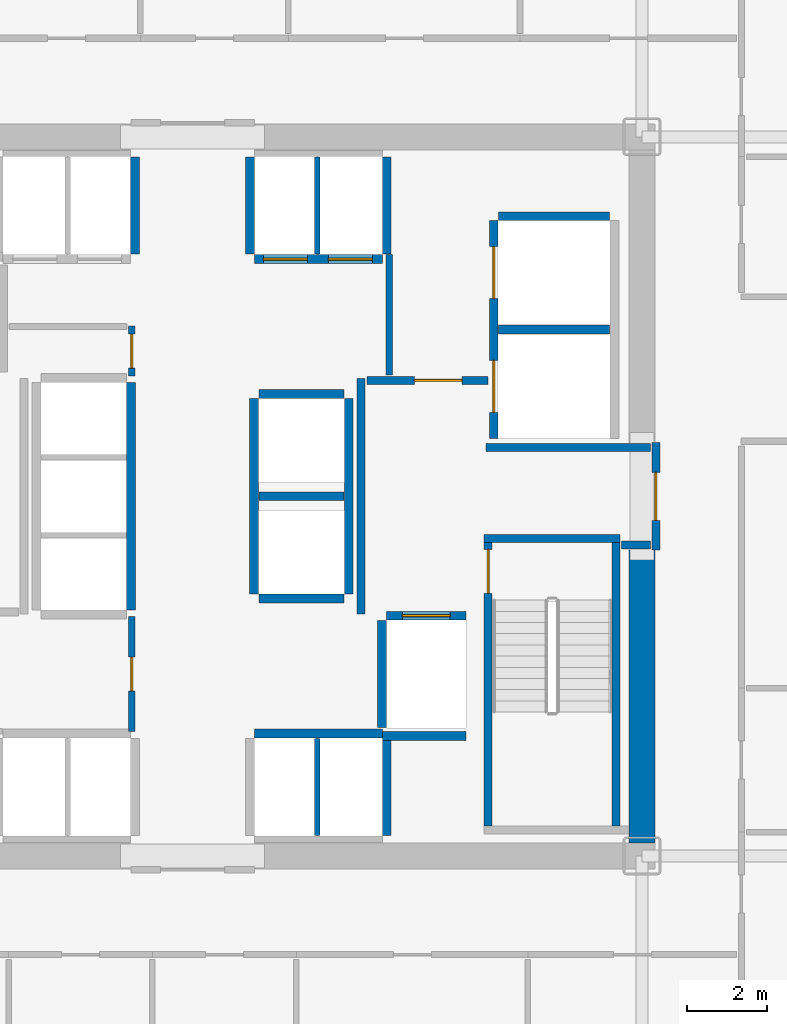
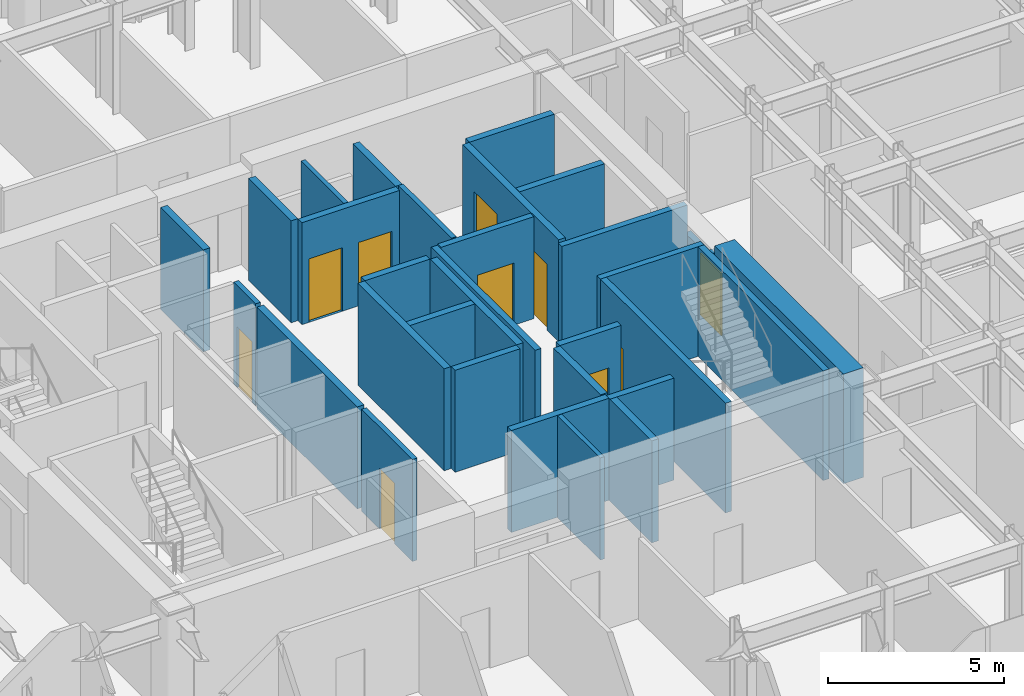
# One storey, part 22 of 26: 32 walls, 10 doors, 10 openings.
"""IFC4 building model written with IfcOpenShell, lengths in metres."""

from ifc_helpers import new_model, si_unit, direction, frame, frame_2d, origin, place, context, subcontext, project, spatial, rectangle, extrude, source, transform, mapped, material, layer, layer_set, type_object, element, fill, save


model = new_model("IFC4")

# Units and contexts
model_context = context("Model", 3, precision=1e-05, world=origin(), true_north=direction((0.0, 1.0)))
body_context = subcontext(model_context, "Body", "Model", "MODEL_VIEW")
ifc_project = project(units=[si_unit("LENGTHUNIT", "METRE"), si_unit("AREAUNIT", "SQUARE_METRE"), si_unit("VOLUMEUNIT", "CUBIC_METRE"), si_unit("PLANEANGLEUNIT", "RADIAN"), si_unit("MASSUNIT", "GRAM", prefix="KILO")], contexts=[model_context])

# Site, building, storey
site_placement = place(None, origin())
site = spatial("IfcSite", under=ifc_project, at=site_placement, CompositionType="ELEMENT")
building_placement = place(site_placement, origin())
building = spatial("IfcBuilding", under=site, at=building_placement, Name="Nefas-Gora Pilgrimage Tower", CompositionType="ELEMENT")
storey_placement = place(building_placement, frame((0.0, 0.0, 36.800048828125)))
storey = spatial("IfcBuildingStorey", under=building, at=storey_placement, Name="L07", CompositionType="ELEMENT", Elevation=36.800048828125)

# Walls
ifc_material_1 = material(Name="Concrete C60/75", Category="concrete")
ifc_layer_1 = layer(ifc_material_1, 0.64990234375)
ifc_layer_set_1 = layer_set([ifc_layer_1], Name="Concrete C60/75")
wall_type_1 = type_object("IfcWallType", Name="SW-CORE-650", PredefinedType="SHEAR", material=ifc_layer_set_1)
shared_shape_1 = source(origin(), body_context, "Body", "SweptSolid", [
    extrude(rectangle(XDim=7.324951171875, YDim=0.64990234375, at=frame_2d((3.66259765625, 0.0))), origin(), (0.0, 0.0, 1.0), 3.800048828125),
])
wall_1_placement = place(storey_placement, frame((11.25, -8.675048828125, 0.0), z_axis=(0.0, 0.0, 1.0), x_axis=(0.0, 1.0, 0.0)))
element("IfcWall", 1, at=wall_1_placement, inside=storey, type_object=wall_type_1, Name="L07 Core Shear Wall E-South", PredefinedType="SHEAR", context=body_context, shape_type="MappedRepresentation", body=[
    mapped(shared_shape_1, transform((0.0, 0.0, 0.0), x_axis=(1.0, 0.0, 0.0), y_axis=(0.0, 1.0, 0.0), z_axis=(0.0, 0.0, 1.0), scale=1.0)),
])
ifc_material_2 = material(Name="Concrete C45/55", Category="concrete")
ifc_layer_2 = layer(ifc_material_2, 0.199951171875)
ifc_layer_set_2 = layer_set([ifc_layer_2], Name="Concrete C45/55")
wall_type_2 = type_object("IfcWallType", Name="IW-STAIR-200", PredefinedType="SOLIDWALL", material=ifc_layer_set_2)
shared_shape_2 = source(origin(), body_context, "Body", "SweptSolid", [
    extrude(rectangle(XDim=3.39990234375, YDim=0.199951171875, at=frame_2d((1.699951171875, 0.0))), origin(), (0.0, 0.0, 1.0), 3.800048828125),
])
wall_2_placement = place(storey_placement, frame((7.300048828125, -1.050048828125, 0.0), z_axis=(0.0, 0.0, 1.0), x_axis=(1.0, 0.0, 0.0)))
element("IfcWall", 2, at=wall_2_placement, inside=storey, type_object=wall_type_2, Name="L07 Stairwell Shear Wall ST-02-near", PredefinedType="SOLIDWALL", context=body_context, shape_type="MappedRepresentation", body=[
    mapped(shared_shape_2, transform((0.0, 0.0, 0.0), x_axis=(1.0, 0.0, 0.0), y_axis=(0.0, 1.0, 0.0), z_axis=(0.0, 0.0, 1.0), scale=1.0)),
])

# Wall, opening, door
shared_shape_3 = source(origin(), body_context, "Body", "SweptSolid", [
    extrude(rectangle(XDim=7.10009765625, YDim=0.199951171875, at=frame_2d((3.550048828125, 0.0))), origin(), (0.0, 0.0, 1.0), 3.800048828125),
])
wall_3_placement = place(storey_placement, frame((7.39990234375, -1.14990234375, 0.0), z_axis=(0.0, 0.0, 1.0), x_axis=(0.0, -1.0, 0.0)))
wall_3 = element("IfcWall", 3, at=wall_3_placement, inside=storey, type_object=wall_type_2, Name="L07 Stairwell Shear Wall ST-02-left", PredefinedType="SOLIDWALL", context=body_context, shape_type="MappedRepresentation", body=[
    mapped(shared_shape_3, transform((0.0, 0.0, 0.0), x_axis=(1.0, 0.0, 0.0), y_axis=(0.0, 1.0, 0.0), z_axis=(0.0, 0.0, 1.0), scale=1.0)),
])
opening_1_placement = place(wall_3_placement, frame((0.179931640625, 0.0, 0.0)))
opening_1 = element("IfcOpeningElement", 4, at=opening_1_placement, cuts=wall_3, Name="Opening ID-ST1", PredefinedType="OPENING", context=body_context, shape_type="SweptSolid", body=[
    extrude(rectangle(XDim=1.10009765625, YDim=2.14990234375, at=frame_2d((0.550048828125, 1.074951171875))), frame((0.0, 0.10986328125, 0.0), z_axis=(0.0, -1.0, 0.0), x_axis=(1.0, 0.0, 0.0)), (0.0, 0.0, 1.0), 0.219970703125),
])
ifc_material_3 = material(Name="Painted galvanised steel fire stair door", Category="steel")
door_type_1 = type_object("IfcDoorType", Name="DR-INT-STAIR-1100", OperationType="NOTDEFINED", PredefinedType="DOOR", material=ifc_material_3)
shared_shape_4 = source(origin(), body_context, "Body", "SweptSolid", [
    extrude(rectangle(XDim=1.10009765625, YDim=2.14990234375, at=frame_2d((0.550048828125, 1.074951171875))), frame((0.0, 0.02490234375, 0.0), z_axis=(0.0, -1.0, 0.0), x_axis=(1.0, 0.0, 0.0)), (0.0, 0.0, 1.0), 0.050048828125),
])
door_1_placement = place(opening_1_placement, origin())
door_1 = element("IfcDoor", 5, at=door_1_placement, inside=storey, type_object=door_type_1, Name="L07 Protected Exit Stair Door ST-02", OperationType="SINGLE_SWING_RIGHT", OverallHeight=2.14990234375, OverallWidth=1.10009765625, PredefinedType="DOOR", context=body_context, shape_type="MappedRepresentation", body=[
    mapped(shared_shape_4, transform((0.0, 0.0, 0.0), x_axis=(1.0, 0.0, 0.0), y_axis=(0.0, 1.0, 0.0), z_axis=(0.0, 0.0, 1.0), scale=1.0)),
])
fill(opening_1, door_1)

# Wall
wall_4_placement = place(storey_placement, frame((10.60009765625, -1.14990234375, 0.0), z_axis=(0.0, 0.0, 1.0), x_axis=(0.0, -1.0, 0.0)))
element("IfcWall", 6, at=wall_4_placement, inside=storey, type_object=wall_type_2, Name="L07 Stairwell Shear Wall ST-02-right", PredefinedType="SOLIDWALL", context=body_context, shape_type="MappedRepresentation", body=[
    mapped(shared_shape_3, transform((0.0, 0.0, 0.0), x_axis=(1.0, 0.0, 0.0), y_axis=(0.0, 1.0, 0.0), z_axis=(0.0, 0.0, 1.0), scale=1.0)),
])

# Wall, opening, door
ifc_material_4 = material(Name="Concrete C40/50", Category="concrete")
ifc_layer_3 = layer(ifc_material_4, 0.219970703125)
ifc_layer_set_3 = layer_set([ifc_layer_3], Name="Concrete C40/50")
wall_type_3 = type_object("IfcWallType", Name="IW-SHAFT-220", PredefinedType="SOLIDWALL", material=ifc_layer_set_3)
shared_shape_5 = source(origin(), body_context, "Body", "SweptSolid", [
    extrude(rectangle(XDim=2.0, YDim=0.219970703125, at=frame_2d((1.0, 0.0))), origin(), (0.0, 0.0, 1.0), 3.534912109375),
])
wall_5_placement = place(storey_placement, frame((6.85009765625, -2.989990234375, 0.0), z_axis=(0.0, 0.0, 1.0), x_axis=(-1.0, 0.0, 0.0)))
wall_5 = element("IfcWall", 7, at=wall_5_placement, inside=storey, type_object=wall_type_3, Name="L07 Hoistway Wall FFL-02-N", PredefinedType="SOLIDWALL", context=body_context, shape_type="MappedRepresentation", body=[
    mapped(shared_shape_5, transform((0.0, 0.0, 0.0), x_axis=(1.0, 0.0, 0.0), y_axis=(0.0, 1.0, 0.0), z_axis=(0.0, 0.0, 1.0), scale=1.0)),
])
opening_2_placement = place(wall_5_placement, frame((0.39990234375, 0.0, 0.0)))
opening_2 = element("IfcOpeningElement", 8, at=opening_2_placement, cuts=wall_5, Name="Opening LD-FF", PredefinedType="OPENING", context=body_context, shape_type="SweptSolid", body=[
    extrude(rectangle(XDim=1.199951171875, YDim=2.199951171875, at=frame_2d((0.60009765625, 1.10009765625))), frame((0.0, 0.119873046875, 0.0), z_axis=(0.0, -1.0, 0.0), x_axis=(1.0, 0.0, 0.0)), (0.0, 0.0, 1.0), 0.239990234375),
])
ifc_material_5 = material(Name="Fire-service sliding lift landing door")
door_type_2 = type_object("IfcDoorType", Name="DR-LIFT-FSAE-1200", OperationType="SLIDING_TO_LEFT", PredefinedType="DOOR", material=ifc_material_5)
shared_shape_6 = source(origin(), body_context, "Body", "SweptSolid", [
    extrude(rectangle(XDim=1.199951171875, YDim=2.199951171875, at=frame_2d((0.60009765625, 1.10009765625))), frame((0.0, 0.02490234375, 0.0), z_axis=(0.0, -1.0, 0.0), x_axis=(1.0, 0.0, 0.0)), (0.0, 0.0, 1.0), 0.050048828125),
])
door_2_placement = place(opening_2_placement, origin())
door_2 = element("IfcDoor", 9, at=door_2_placement, inside=storey, type_object=door_type_2, Name="L07 Sliding Lift Landing Door FFL-02", OperationType="SLIDING_TO_LEFT", OverallHeight=2.199951171875, OverallWidth=1.199951171875, PredefinedType="DOOR", context=body_context, shape_type="MappedRepresentation", body=[
    mapped(shared_shape_6, transform((0.0, 0.0, 0.0), x_axis=(1.0, 0.0, 0.0), y_axis=(0.0, 1.0, 0.0), z_axis=(0.0, 0.0, 1.0), scale=1.0)),
])
fill(opening_2, door_2)

# Wall
shared_shape_7 = source(origin(), body_context, "Body", "SweptSolid", [
    extrude(rectangle(XDim=2.679931640625, YDim=0.219970703125, at=frame_2d((1.33984375, 0.0))), origin(), (0.0, 0.0, 1.0), 3.534912109375),
])
wall_6_placement = place(storey_placement, frame((4.739990234375, -3.110107421875, 0.0), z_axis=(0.0, 0.0, 1.0), x_axis=(0.0, -1.0, 0.0)))
element("IfcWall", 10, at=wall_6_placement, inside=storey, type_object=wall_type_3, Name="L07 Hoistway Wall FFL-02-W", PredefinedType="SOLIDWALL", context=body_context, shape_type="MappedRepresentation", body=[
    mapped(shared_shape_7, transform((0.0, 0.0, 0.0), x_axis=(1.0, 0.0, 0.0), y_axis=(0.0, 1.0, 0.0), z_axis=(0.0, 0.0, 1.0), scale=1.0)),
])

# Wall, openings, doors
shared_shape_8 = source(origin(), body_context, "Body", "SweptSolid", [
    extrude(rectangle(XDim=5.449951171875, YDim=0.219970703125, at=frame_2d((2.72509765625, 0.0))), origin(), (0.0, 0.0, 1.0), 3.534912109375),
])
wall_7_placement = place(storey_placement, frame((7.5400390625, 6.89990234375, 0.0), z_axis=(0.0, 0.0, 1.0), x_axis=(0.0, -1.0, 0.0)))
wall_7 = element("IfcWall", 11, at=wall_7_placement, inside=storey, type_object=wall_type_3, Name="L07 Hoistway Wall SL-01-02-W", PredefinedType="SOLIDWALL", context=body_context, shape_type="MappedRepresentation", body=[
    mapped(shared_shape_8, transform((0.0, 0.0, 0.0), x_axis=(1.0, 0.0, 0.0), y_axis=(0.0, 1.0, 0.0), z_axis=(0.0, 0.0, 1.0), scale=1.0)),
])
opening_3_placement = place(wall_7_placement, frame((3.5, 0.0, 0.0)))
opening_3 = element("IfcOpeningElement", 12, at=opening_3_placement, cuts=wall_7, Name="Opening LD-SV", PredefinedType="OPENING", context=body_context, shape_type="SweptSolid", body=[
    extrude(rectangle(XDim=1.300048828125, YDim=2.300048828125, at=frame_2d((0.64990234375, 1.14990234375))), frame((0.0, 0.119873046875, 0.0), z_axis=(0.0, -1.0, 0.0), x_axis=(1.0, 0.0, 0.0)), (0.0, 0.0, 1.0), 0.239990234375),
])
opening_4_placement = place(wall_7_placement, frame((0.64990234375, 0.0, 0.0)))
opening_4 = element("IfcOpeningElement", 13, at=opening_4_placement, cuts=wall_7, Name="Opening LD-SV", PredefinedType="OPENING", context=body_context, shape_type="SweptSolid", body=[
    extrude(rectangle(XDim=1.300048828125, YDim=2.300048828125, at=frame_2d((0.64990234375, 1.14990234375))), frame((0.0, 0.119873046875, 0.0), z_axis=(0.0, -1.0, 0.0), x_axis=(1.0, 0.0, 0.0)), (0.0, 0.0, 1.0), 0.239990234375),
])
ifc_material_6 = material(Name="Heavy goods sliding lift landing door")
door_type_3 = type_object("IfcDoorType", Name="DR-LIFT-SERV-1300", OperationType="SLIDING_TO_RIGHT", PredefinedType="DOOR", material=ifc_material_6)
shared_shape_9 = source(origin(), body_context, "Body", "SweptSolid", [
    extrude(rectangle(XDim=1.300048828125, YDim=2.300048828125, at=frame_2d((0.64990234375, 1.14990234375))), frame((0.0, 0.02490234375, 0.0), z_axis=(0.0, -1.0, 0.0), x_axis=(1.0, 0.0, 0.0)), (0.0, 0.0, 1.0), 0.050048828125),
])
door_3_placement = place(opening_3_placement, origin())
door_3 = element("IfcDoor", 14, at=door_3_placement, inside=storey, type_object=door_type_3, Name="L07 Sliding Lift Landing Door SL-01", OperationType="SLIDING_TO_RIGHT", OverallHeight=2.300048828125, OverallWidth=1.300048828125, PredefinedType="DOOR", context=body_context, shape_type="MappedRepresentation", body=[
    mapped(shared_shape_9, transform((0.0, 0.0, 0.0), x_axis=(1.0, 0.0, 0.0), y_axis=(0.0, 1.0, 0.0), z_axis=(0.0, 0.0, 1.0), scale=1.0)),
])
fill(opening_3, door_3)
door_4_placement = place(opening_4_placement, origin())
door_4 = element("IfcDoor", 15, at=door_4_placement, inside=storey, type_object=door_type_3, Name="L07 Sliding Lift Landing Door SL-02", OperationType="SLIDING_TO_RIGHT", OverallHeight=2.300048828125, OverallWidth=1.300048828125, PredefinedType="DOOR", context=body_context, shape_type="MappedRepresentation", body=[
    mapped(shared_shape_9, transform((0.0, 0.0, 0.0), x_axis=(1.0, 0.0, 0.0), y_axis=(0.0, 1.0, 0.0), z_axis=(0.0, 0.0, 1.0), scale=1.0)),
])
fill(opening_4, door_4)

# Walls
shared_shape_10 = source(origin(), body_context, "Body", "SweptSolid", [
    extrude(rectangle(XDim=2.780029296875, YDim=0.219970703125, at=frame_2d((1.39013671875, 0.0))), origin(), (0.0, 0.0, 1.0), 3.534912109375),
])
for number, where, z_axis, x_axis, name in (
    (16, (7.659912109375, 4.175048828125, 0.0), (0.0, 0.0, 1.0), (1.0, 0.0, 0.0), "L07 Hoistway Wall SL-01-02-DIV"),
    (17, (10.43994140625, 7.010009765625, 0.0), (0.0, 0.0, 1.0), (-1.0, 0.0, 0.0), "L07 Hoistway Wall SL-02-N"),
):
    element("IfcWall", number, at=place(storey_placement, frame(where, z_axis=z_axis, x_axis=x_axis)), inside=storey, type_object=wall_type_3, Name=name, PredefinedType="SOLIDWALL", context=body_context, shape_type="MappedRepresentation", body=[
        mapped(shared_shape_10, transform((0.0, 0.0, 0.0), x_axis=(1.0, 0.0, 0.0), y_axis=(0.0, 1.0, 0.0), z_axis=(0.0, 0.0, 1.0), scale=1.0)),
    ])

# Wall, openings, doors
shared_shape_11 = source(origin(), body_context, "Body", "SweptSolid", [
    extrude(rectangle(XDim=3.199951171875, YDim=0.219970703125, at=frame_2d((1.60009765625, 0.0))), origin(), (0.0, 0.0, 1.0), 3.534912109375),
])
wall_8_placement = place(storey_placement, frame((1.550048828125, 5.93994140625, 0.0), z_axis=(0.0, 0.0, 1.0), x_axis=(1.0, 0.0, 0.0)))
wall_8 = element("IfcWall", 18, at=wall_8_placement, inside=storey, type_object=wall_type_3, Name="L07 Hoistway Wall PL1-E-S", PredefinedType="SOLIDWALL", context=body_context, shape_type="MappedRepresentation", body=[
    mapped(shared_shape_11, transform((0.0, 0.0, 0.0), x_axis=(1.0, 0.0, 0.0), y_axis=(0.0, 1.0, 0.0), z_axis=(0.0, 0.0, 1.0), scale=1.0)),
])
opening_5_placement = place(wall_8_placement, frame((0.22509765625, 0.0, 0.0)))
opening_5 = element("IfcOpeningElement", 19, at=opening_5_placement, cuts=wall_8, Name="Opening LD-01", PredefinedType="OPENING", context=body_context, shape_type="SweptSolid", body=[
    extrude(rectangle(XDim=1.10009765625, YDim=2.199951171875, at=frame_2d((0.550048828125, 1.10009765625))), frame((0.0, 0.119873046875, 0.0), z_axis=(0.0, -1.0, 0.0), x_axis=(1.0, 0.0, 0.0)), (0.0, 0.0, 1.0), 0.239990234375),
])
opening_6_placement = place(wall_8_placement, frame((1.85009765625, 0.0, 0.0)))
opening_6 = element("IfcOpeningElement", 20, at=opening_6_placement, cuts=wall_8, Name="Opening LD-01", PredefinedType="OPENING", context=body_context, shape_type="SweptSolid", body=[
    extrude(rectangle(XDim=1.10009765625, YDim=2.199951171875, at=frame_2d((0.550048828125, 1.10009765625))), frame((0.0, 0.119873046875, 0.0), z_axis=(0.0, -1.0, 0.0), x_axis=(1.0, 0.0, 0.0)), (0.0, 0.0, 1.0), 0.239990234375),
])
ifc_material_7 = material(Name="Brushed stainless sliding lift landing door")
door_type_4 = type_object("IfcDoorType", Name="DR-LIFT-PASS-1100", OperationType="DOUBLE_DOOR_SLIDING", PredefinedType="DOOR", material=ifc_material_7)
shared_shape_12 = source(origin(), body_context, "Body", "SweptSolid", [
    extrude(rectangle(XDim=1.10009765625, YDim=2.199951171875, at=frame_2d((0.550048828125, 1.10009765625))), frame((0.0, 0.02490234375, 0.0), z_axis=(0.0, -1.0, 0.0), x_axis=(1.0, 0.0, 0.0)), (0.0, 0.0, 1.0), 0.050048828125),
])
door_5_placement = place(opening_5_placement, origin())
door_5 = element("IfcDoor", 21, at=door_5_placement, inside=storey, type_object=door_type_4, Name="L07 Sliding Lift Landing Door PL1-03", OperationType="DOUBLE_DOOR_SLIDING", OverallHeight=2.199951171875, OverallWidth=1.10009765625, PredefinedType="DOOR", context=body_context, shape_type="MappedRepresentation", body=[
    mapped(shared_shape_12, transform((0.0, 0.0, 0.0), x_axis=(1.0, 0.0, 0.0), y_axis=(0.0, 1.0, 0.0), z_axis=(0.0, 0.0, 1.0), scale=1.0)),
])
fill(opening_5, door_5)
door_6_placement = place(opening_6_placement, origin())
door_6 = element("IfcDoor", 22, at=door_6_placement, inside=storey, type_object=door_type_4, Name="L07 Sliding Lift Landing Door PL1-04", OperationType="DOUBLE_DOOR_SLIDING", OverallHeight=2.199951171875, OverallWidth=1.10009765625, PredefinedType="DOOR", context=body_context, shape_type="MappedRepresentation", body=[
    mapped(shared_shape_12, transform((0.0, 0.0, 0.0), x_axis=(1.0, 0.0, 0.0), y_axis=(0.0, 1.0, 0.0), z_axis=(0.0, 0.0, 1.0), scale=1.0)),
])
fill(opening_6, door_6)

# Walls
wall_9_placement = place(storey_placement, frame((4.75, -5.93994140625, 0.0), z_axis=(0.0, 0.0, 1.0), x_axis=(-1.0, 0.0, 0.0)))
element("IfcWall", 23, at=wall_9_placement, inside=storey, type_object=wall_type_3, Name="L07 Hoistway Wall PL2-E-N", PredefinedType="SOLIDWALL", context=body_context, shape_type="MappedRepresentation", body=[
    mapped(shared_shape_11, transform((0.0, 0.0, 0.0), x_axis=(1.0, 0.0, 0.0), y_axis=(0.0, 1.0, 0.0), z_axis=(0.0, 0.0, 1.0), scale=1.0)),
])
shared_shape_13 = source(origin(), body_context, "Body", "SweptSolid", [
    extrude(rectangle(XDim=2.429931640625, YDim=0.219970703125, at=frame_2d((1.21484375, 0.0))), origin(), (0.0, 0.0, 1.0), 3.534912109375),
])
for number, where, z_axis, x_axis, name in (
    (24, (-1.43994140625, 6.06005859375, 0.0), (0.0, 0.0, 1.0), (0.0, 1.0, 0.0), "L07 Hoistway Wall PL1-W-E"),
    (25, (1.43994140625, 8.489990234375, 0.0), (0.0, 0.0, 1.0), (0.0, -1.0, 0.0), "L07 Hoistway Wall PL1-E-W"),
    (26, (4.860107421875, 6.06005859375, 0.0), (0.0, 0.0, 1.0), (0.0, 1.0, 0.0), "L07 Hoistway Wall PL1-E-E"),
    (27, (4.860107421875, -8.489990234375, 0.0), (0.0, 0.0, 1.0), (0.0, 1.0, 0.0), "L07 Hoistway Wall PL2-E-E"),
):
    element("IfcWall", number, at=place(storey_placement, frame(where, z_axis=z_axis, x_axis=x_axis)), inside=storey, type_object=wall_type_3, Name=name, PredefinedType="SOLIDWALL", context=body_context, shape_type="MappedRepresentation", body=[
        mapped(shared_shape_13, transform((0.0, 0.0, 0.0), x_axis=(1.0, 0.0, 0.0), y_axis=(0.0, 1.0, 0.0), z_axis=(0.0, 0.0, 1.0), scale=1.0)),
    ])
ifc_material_8 = material(Name="Gypsum twin-stud partition")
ifc_layer_4 = layer(ifc_material_8, 0.139892578125)
ifc_layer_set_4 = layer_set([ifc_layer_4], Name="Gypsum twin-stud partition")
wall_type_4 = type_object("IfcWallType", Name="IW-UNIT-140", PredefinedType="PARTITIONING", material=ifc_layer_set_4)
shared_shape_14 = source(origin(), body_context, "Body", "SweptSolid", [
    extrude(rectangle(XDim=2.429931640625, YDim=0.139892578125, at=frame_2d((1.21484375, 0.0))), origin(), (0.0, 0.0, 1.0), 3.534912109375),
])
for number, where, z_axis, x_axis, name in (
    (28, (3.125, 6.06005859375, 0.0), (0.0, 0.0, 1.0), (0.0, 1.0, 0.0), "L07 Hoistway Wall PL1-E-DIV"),
    (29, (3.125, -8.489990234375, 0.0), (0.0, 0.0, 1.0), (0.0, 1.0, 0.0), "L07 Hoistway Wall PL2-E-DIV"),
):
    element("IfcWall", number, at=place(storey_placement, frame(where, z_axis=z_axis, x_axis=x_axis)), inside=storey, type_object=wall_type_4, Name=name, PredefinedType="PARTITIONING", context=body_context, shape_type="MappedRepresentation", body=[
        mapped(shared_shape_14, transform((0.0, 0.0, 0.0), x_axis=(1.0, 0.0, 0.0), y_axis=(0.0, 1.0, 0.0), z_axis=(0.0, 0.0, 1.0), scale=1.0)),
    ])
shared_shape_15 = source(origin(), body_context, "Body", "SweptSolid", [
    extrude(rectangle(XDim=5.7001953125, YDim=0.219970703125, at=frame_2d((2.85009765625, 0.0))), origin(), (0.0, 0.0, 1.0), 3.534912109375),
])
wall_10_placement = place(storey_placement, frame((-1.5400390625, -2.85009765625, 0.0), z_axis=(0.0, 0.0, 1.0), x_axis=(0.0, 1.0, 0.0)))
element("IfcWall", 30, at=wall_10_placement, inside=storey, type_object=wall_type_3, Name="L07 Hoistway Wall PL3-01-03-E", PredefinedType="SOLIDWALL", context=body_context, shape_type="MappedRepresentation", body=[
    mapped(shared_shape_15, transform((0.0, 0.0, 0.0), x_axis=(1.0, 0.0, 0.0), y_axis=(0.0, 1.0, 0.0), z_axis=(0.0, 0.0, 1.0), scale=1.0)),
])
shared_shape_16 = source(origin(), body_context, "Body", "SweptSolid", [
    extrude(rectangle(XDim=2.130126953125, YDim=0.219970703125, at=frame_2d((1.06494140625, 0.0))), origin(), (0.0, 0.0, 1.0), 3.534912109375),
])
for number, where, z_axis, x_axis, name in (
    (31, (1.659912109375, -2.56005859375, 0.0), (0.0, 0.0, 1.0), (1.0, 0.0, 0.0), "L07 Hoistway Wall OBS-01-S"),
    (32, (1.659912109375, 0.0, 0.0), (0.0, 0.0, 1.0), (1.0, 0.0, 0.0), "L07 Hoistway Wall OBS-01-02-DIV"),
    (33, (3.7900390625, 2.56005859375, 0.0), (0.0, 0.0, 1.0), (-1.0, 0.0, 0.0), "L07 Hoistway Wall OBS-02-N"),
):
    element("IfcWall", number, at=place(storey_placement, frame(where, z_axis=z_axis, x_axis=x_axis)), inside=storey, type_object=wall_type_3, Name=name, PredefinedType="SOLIDWALL", context=body_context, shape_type="MappedRepresentation", body=[
        mapped(shared_shape_16, transform((0.0, 0.0, 0.0), x_axis=(1.0, 0.0, 0.0), y_axis=(0.0, 1.0, 0.0), z_axis=(0.0, 0.0, 1.0), scale=1.0)),
    ])
shared_shape_17 = source(origin(), body_context, "Body", "SweptSolid", [
    extrude(rectangle(XDim=4.89990234375, YDim=0.219970703125, at=frame_2d((2.449951171875, 0.0))), origin(), (0.0, 0.0, 1.0), 3.534912109375),
])
for number, where, z_axis, x_axis, name in (
    (34, (1.5400390625, 2.449951171875, 0.0), (0.0, 0.0, 1.0), (0.0, -1.0, 0.0), "L07 Hoistway Wall OBS-01-02-W"),
    (35, (3.909912109375, -2.449951171875, 0.0), (0.0, 0.0, 1.0), (0.0, 1.0, 0.0), "L07 Hoistway Wall OBS-01-02-E"),
):
    element("IfcWall", number, at=place(storey_placement, frame(where, z_axis=z_axis, x_axis=x_axis)), inside=storey, type_object=wall_type_3, Name=name, PredefinedType="SOLIDWALL", context=body_context, shape_type="MappedRepresentation", body=[
        mapped(shared_shape_17, transform((0.0, 0.0, 0.0), x_axis=(1.0, 0.0, 0.0), y_axis=(0.0, 1.0, 0.0), z_axis=(0.0, 0.0, 1.0), scale=1.0)),
    ])
shared_shape_18 = source(origin(), body_context, "Body", "SweptSolid", [
    extrude(rectangle(XDim=2.09521484375, YDim=0.219970703125, at=frame_2d((1.047607421875, 0.0))), origin(), (0.0, 0.0, 1.0), 3.534912109375),
])
wall_11_placement = place(storey_placement, frame((4.7548828125, -6.0, 0.0), z_axis=(0.0, 0.0, 1.0), x_axis=(1.0, 0.0, 0.0)))
element("IfcWall", 36, at=wall_11_placement, inside=storey, type_object=wall_type_3, Name="L07 Riser Shaft Wall 2", PredefinedType="SOLIDWALL", context=body_context, shape_type="MappedRepresentation", body=[
    mapped(shared_shape_18, transform((0.0, 0.0, 0.0), x_axis=(1.0, 0.0, 0.0), y_axis=(0.0, 1.0, 0.0), z_axis=(0.0, 0.0, 1.0), scale=1.0)),
])

# Wall, opening, door
ifc_material_9 = material(Name="Gypsum fire-rated shaftwall")
ifc_layer_5 = layer(ifc_material_9, 0.199951171875)
ifc_layer_set_5 = layer_set([ifc_layer_5], Name="Gypsum fire-rated shaftwall")
wall_type_5 = type_object("IfcWallType", Name="IW-FFLOB-200", PredefinedType="PARTITIONING", material=ifc_layer_set_5)
shared_shape_19 = source(origin(), body_context, "Body", "SweptSolid", [
    extrude(rectangle(XDim=2.7001953125, YDim=0.199951171875, at=frame_2d((1.35009765625, 0.0))), origin(), (0.0, 0.0, 1.0), 2.425048828125),
])
wall_12_placement = place(storey_placement, frame((11.60009765625, -1.35009765625, 0.0), z_axis=(0.0, 0.0, 1.0), x_axis=(0.0, 1.0, 0.0)))
wall_12 = element("IfcWall", 37, at=wall_12_placement, inside=storey, type_object=wall_type_5, Name="L07 FF Lobby East Portal Wall 8", PredefinedType="PARTITIONING", context=body_context, shape_type="MappedRepresentation", body=[
    mapped(shared_shape_19, transform((0.0, 0.0, 0.0), x_axis=(1.0, 0.0, 0.0), y_axis=(0.0, 1.0, 0.0), z_axis=(0.0, 0.0, 1.0), scale=1.0)),
])
opening_7_placement = place(wall_12_placement, frame((0.75, 0.0, 0.0)))
opening_7 = element("IfcOpeningElement", 38, at=opening_7_placement, cuts=wall_12, Name="Opening ID-FF1", PredefinedType="OPENING", context=body_context, shape_type="SweptSolid", body=[
    extrude(rectangle(XDim=1.199951171875, YDim=2.14990234375, at=frame_2d((0.60009765625, 1.074951171875))), frame((0.0, 0.10986328125, 0.0), z_axis=(0.0, -1.0, 0.0), x_axis=(1.0, 0.0, 0.0)), (0.0, 0.0, 1.0), 0.219970703125),
])
ifc_material_10 = material(Name="Smoke-sealed steel firefighting lobby door", Category="steel")
door_type_5 = type_object("IfcDoorType", Name="DR-INT-FFLOB-1200", OperationType="NOTDEFINED", PredefinedType="DOOR", material=ifc_material_10)
shared_shape_20 = source(origin(), body_context, "Body", "SweptSolid", [
    extrude(rectangle(XDim=1.199951171875, YDim=2.14990234375, at=frame_2d((0.60009765625, 1.074951171875))), frame((0.0, 0.02490234375, 0.0), z_axis=(0.0, -1.0, 0.0), x_axis=(1.0, 0.0, 0.0)), (0.0, 0.0, 1.0), 0.050048828125),
])
door_7_placement = place(opening_7_placement, origin())
door_7 = element("IfcDoor", 39, at=door_7_placement, inside=storey, type_object=door_type_5, Name="L07 FF Lobby East Portal Door 2", OperationType="SINGLE_SWING_LEFT", OverallHeight=2.14990234375, OverallWidth=1.199951171875, PredefinedType="DOOR", context=body_context, shape_type="MappedRepresentation", body=[
    mapped(shared_shape_20, transform((0.0, 0.0, 0.0), x_axis=(1.0, 0.0, 0.0), y_axis=(0.0, 1.0, 0.0), z_axis=(0.0, 0.0, 1.0), scale=1.0)),
])
fill(opening_7, door_7)

# Walls
shared_shape_21 = source(origin(), body_context, "Body", "SweptSolid", [
    extrude(rectangle(XDim=5.89990234375, YDim=0.199951171875, at=frame_2d((2.949951171875, 0.0))), origin(), (0.0, 0.0, 1.0), 3.534912109375),
])
wall_13_placement = place(storey_placement, frame((4.219970703125, -2.949951171875, 0.0), z_axis=(0.0, 0.0, 1.0), x_axis=(0.0, 1.0, 0.0)))
element("IfcWall", 40, at=wall_13_placement, inside=storey, type_object=wall_type_5, Name="L07 FF Lobby East Inner Wall Wall 9", PredefinedType="PARTITIONING", context=body_context, shape_type="MappedRepresentation", body=[
    mapped(shared_shape_21, transform((0.0, 0.0, 0.0), x_axis=(1.0, 0.0, 0.0), y_axis=(0.0, 1.0, 0.0), z_axis=(0.0, 0.0, 1.0), scale=1.0)),
])
shared_shape_22 = source(origin(), body_context, "Body", "SweptSolid", [
    extrude(rectangle(XDim=0.719970703125, YDim=0.199951171875, at=frame_2d((0.35986328125, 0.0))), origin(), (0.0, 0.0, 1.0), 3.534912109375),
])
wall_14_placement = place(storey_placement, frame((10.739990234375, -1.219970703125, 0.0), z_axis=(0.0, 0.0, 1.0), x_axis=(1.0, 0.0, 0.0)))
element("IfcWall", 41, at=wall_14_placement, inside=storey, type_object=wall_type_5, Name="L07 FF Lobby East Throat S Wall 12", PredefinedType="PARTITIONING", context=body_context, shape_type="MappedRepresentation", body=[
    mapped(shared_shape_22, transform((0.0, 0.0, 0.0), x_axis=(1.0, 0.0, 0.0), y_axis=(0.0, 1.0, 0.0), z_axis=(0.0, 0.0, 1.0), scale=1.0)),
])

# Wall, opening, door
shared_shape_23 = source(origin(), body_context, "Body", "SweptSolid", [
    extrude(rectangle(XDim=3.039794921875, YDim=0.199951171875, at=frame_2d((1.52001953125, 0.0))), origin(), (0.0, 0.0, 1.0), 3.534912109375),
])
wall_15_placement = place(storey_placement, frame((4.360107421875, 2.89990234375, 0.0), z_axis=(0.0, 0.0, 1.0), x_axis=(1.0, 0.0, 0.0)))
wall_15 = element("IfcWall", 42, at=wall_15_placement, inside=storey, type_object=wall_type_5, Name="L07 FF Lobby East North Wall Wall 10", PredefinedType="PARTITIONING", context=body_context, shape_type="MappedRepresentation", body=[
    mapped(shared_shape_23, transform((0.0, 0.0, 0.0), x_axis=(1.0, 0.0, 0.0), y_axis=(0.0, 1.0, 0.0), z_axis=(0.0, 0.0, 1.0), scale=1.0)),
])
opening_8_placement = place(wall_15_placement, frame((1.18994140625, 0.0, 0.0)))
opening_8 = element("IfcOpeningElement", 43, at=opening_8_placement, cuts=wall_15, Name="Opening ID-PL1", PredefinedType="OPENING", context=body_context, shape_type="SweptSolid", body=[
    extrude(rectangle(XDim=1.199951171875, YDim=2.14990234375, at=frame_2d((0.60009765625, 1.074951171875))), frame((0.0, 0.10986328125, 0.0), z_axis=(0.0, -1.0, 0.0), x_axis=(1.0, 0.0, 0.0)), (0.0, 0.0, 1.0), 0.219970703125),
])
ifc_material_11 = material(Name="Heavy-duty steel plant room fire door", Category="steel")
door_type_6 = type_object("IfcDoorType", Name="DR-INT-PLANT-1200", OperationType="NOTDEFINED", PredefinedType="DOOR", material=ifc_material_11)
door_8_placement = place(opening_8_placement, origin())
door_8 = element("IfcDoor", 44, at=door_8_placement, inside=storey, type_object=door_type_6, Name="L07 Service Lift Lobby Door Door 3", OperationType="SINGLE_SWING_RIGHT", OverallHeight=2.14990234375, OverallWidth=1.199951171875, PredefinedType="DOOR", context=body_context, shape_type="MappedRepresentation", body=[
    mapped(shared_shape_20, transform((0.0, 0.0, 0.0), x_axis=(1.0, 0.0, 0.0), y_axis=(0.0, 1.0, 0.0), z_axis=(0.0, 0.0, 1.0), scale=1.0)),
])
fill(opening_8, door_8)

# Walls
shared_shape_24 = source(origin(), body_context, "Body", "SweptSolid", [
    extrude(rectangle(XDim=4.10986328125, YDim=0.199951171875, at=frame_2d((2.054931640625, 0.0))), origin(), (0.0, 0.0, 1.0), 3.534912109375),
])
wall_16_placement = place(storey_placement, frame((7.35009765625, 1.219970703125, 0.0), z_axis=(0.0, 0.0, 1.0), x_axis=(1.0, 0.0, 0.0)))
element("IfcWall", 45, at=wall_16_placement, inside=storey, type_object=wall_type_5, Name="L07 FF Lobby East Throat N Wall 11", PredefinedType="PARTITIONING", context=body_context, shape_type="MappedRepresentation", body=[
    mapped(shared_shape_24, transform((0.0, 0.0, 0.0), x_axis=(1.0, 0.0, 0.0), y_axis=(0.0, 1.0, 0.0), z_axis=(0.0, 0.0, 1.0), scale=1.0)),
])
ifc_material_12 = material(Name="Gypsum acoustic stud partition")
ifc_layer_6 = layer(ifc_material_12, 0.159912109375)
ifc_layer_set_6 = layer_set([ifc_layer_6], Name="Gypsum acoustic stud partition")
wall_type_6 = type_object("IfcWallType", Name="IW-CORR-160", PredefinedType="PARTITIONING", material=ifc_layer_set_6)
shared_shape_25 = source(origin(), body_context, "Body", "SweptSolid", [
    extrude(rectangle(XDim=3.014892578125, YDim=0.159912109375, at=frame_2d((1.50732421875, 0.0))), origin(), (0.0, 0.0, 1.0), 3.534912109375),
])
wall_17_placement = place(storey_placement, frame((4.919921875, 3.0400390625, 0.0), z_axis=(0.0, 0.0, 1.0), x_axis=(0.0, 1.0, 0.0)))
element("IfcWall", 46, at=wall_17_placement, inside=storey, type_object=wall_type_6, Name="L07 Service Lift Lobby West Wall Wall 15", PredefinedType="PARTITIONING", context=body_context, shape_type="MappedRepresentation", body=[
    mapped(shared_shape_25, transform((0.0, 0.0, 0.0), x_axis=(1.0, 0.0, 0.0), y_axis=(0.0, 1.0, 0.0), z_axis=(0.0, 0.0, 1.0), scale=1.0)),
])

# Wall, opening, door
shared_shape_26 = source(origin(), body_context, "Body", "SweptSolid", [
    extrude(rectangle(XDim=1.25, YDim=0.159912109375, at=frame_2d((0.625, 0.0))), origin(), (0.0, 0.0, 1.0), 3.534912109375),
])
wall_18_placement = place(storey_placement, frame((-1.52001953125, 3.010009765625, 0.0), z_axis=(0.0, 0.0, 1.0), x_axis=(0.0, 1.0, 0.0)))
wall_18 = element("IfcWall", 47, at=wall_18_placement, inside=storey, type_object=wall_type_6, Name="L07 Housekeeping and Linen Store Wall 16", PredefinedType="PARTITIONING", context=body_context, shape_type="MappedRepresentation", body=[
    mapped(shared_shape_26, transform((0.0, 0.0, 0.0), x_axis=(1.0, 0.0, 0.0), y_axis=(0.0, 1.0, 0.0), z_axis=(0.0, 0.0, 1.0), scale=1.0)),
])
opening_9_placement = place(wall_18_placement, frame((0.199951171875, 0.0, 0.0)))
opening_9 = element("IfcOpeningElement", 48, at=opening_9_placement, cuts=wall_18, Name="Opening ID-BT1", PredefinedType="OPENING", context=body_context, shape_type="SweptSolid", body=[
    extrude(rectangle(XDim=0.85009765625, YDim=2.10009765625, at=frame_2d((0.425048828125, 1.050048828125))), frame((0.0, 0.08984375, 0.0), z_axis=(0.0, -1.0, 0.0), x_axis=(1.0, 0.0, 0.0)), (0.0, 0.0, 1.0), 0.179931640625),
])
ifc_material_13 = material(Name="Moisture-resistant fire-rated timber door", Category="wood")
door_type_7 = type_object("IfcDoorType", Name="DR-INT-BATH-850", OperationType="NOTDEFINED", PredefinedType="DOOR", material=ifc_material_13)
shared_shape_27 = source(origin(), body_context, "Body", "SweptSolid", [
    extrude(rectangle(XDim=0.85009765625, YDim=2.10009765625, at=frame_2d((0.425048828125, 1.050048828125))), frame((0.0, 0.02490234375, 0.0), z_axis=(0.0, -1.0, 0.0), x_axis=(1.0, 0.0, 0.0)), (0.0, 0.0, 1.0), 0.050048828125),
])
door_9_placement = place(opening_9_placement, origin())
door_9 = element("IfcDoor", 49, at=door_9_placement, inside=storey, type_object=door_type_7, Name="L07 Housekeeping and Linen Store Door 6", OperationType="SINGLE_SWING_LEFT", OverallHeight=2.10009765625, OverallWidth=0.85009765625, PredefinedType="DOOR", context=body_context, shape_type="MappedRepresentation", body=[
    mapped(shared_shape_27, transform((0.0, 0.0, 0.0), x_axis=(1.0, 0.0, 0.0), y_axis=(0.0, 1.0, 0.0), z_axis=(0.0, 0.0, 1.0), scale=1.0)),
])
fill(opening_9, door_9)

shared_shape_28 = source(origin(), body_context, "Body", "SweptSolid", [
    extrude(rectangle(XDim=2.8798828125, YDim=0.159912109375, at=frame_2d((1.43994140625, 0.0))), origin(), (0.0, 0.0, 1.0), 3.534912109375),
])
wall_19_placement = place(storey_placement, frame((-1.52001953125, -5.889892578125, 0.0), z_axis=(0.0, 0.0, 1.0), x_axis=(0.0, 1.0, 0.0)))
wall_19 = element("IfcWall", 50, at=wall_19_placement, inside=storey, type_object=wall_type_6, Name="L07 Pilgrim Baggage and Gear Vault Wall 18", PredefinedType="PARTITIONING", context=body_context, shape_type="MappedRepresentation", body=[
    mapped(shared_shape_28, transform((0.0, 0.0, 0.0), x_axis=(1.0, 0.0, 0.0), y_axis=(0.0, 1.0, 0.0), z_axis=(0.0, 0.0, 1.0), scale=1.0)),
])
opening_10_placement = place(wall_19_placement, frame((1.014892578125, 0.0, 0.0)))
opening_10 = element("IfcOpeningElement", 51, at=opening_10_placement, cuts=wall_19, Name="Opening ID-BT1", PredefinedType="OPENING", context=body_context, shape_type="SweptSolid", body=[
    extrude(rectangle(XDim=0.85009765625, YDim=2.10009765625, at=frame_2d((0.425048828125, 1.050048828125))), frame((0.0, 0.08984375, 0.0), z_axis=(0.0, -1.0, 0.0), x_axis=(1.0, 0.0, 0.0)), (0.0, 0.0, 1.0), 0.179931640625),
])
door_10_placement = place(opening_10_placement, origin())
door_10 = element("IfcDoor", 52, at=door_10_placement, inside=storey, type_object=door_type_7, Name="L07 Pilgrim Baggage and Gear Vault Door 7", OperationType="SINGLE_SWING_RIGHT", OverallHeight=2.10009765625, OverallWidth=0.85009765625, PredefinedType="DOOR", context=body_context, shape_type="MappedRepresentation", body=[
    mapped(shared_shape_27, transform((0.0, 0.0, 0.0), x_axis=(1.0, 0.0, 0.0), y_axis=(0.0, 1.0, 0.0), z_axis=(0.0, 0.0, 1.0), scale=1.0)),
])
fill(opening_10, door_10)

save(model, "model.ifc")
